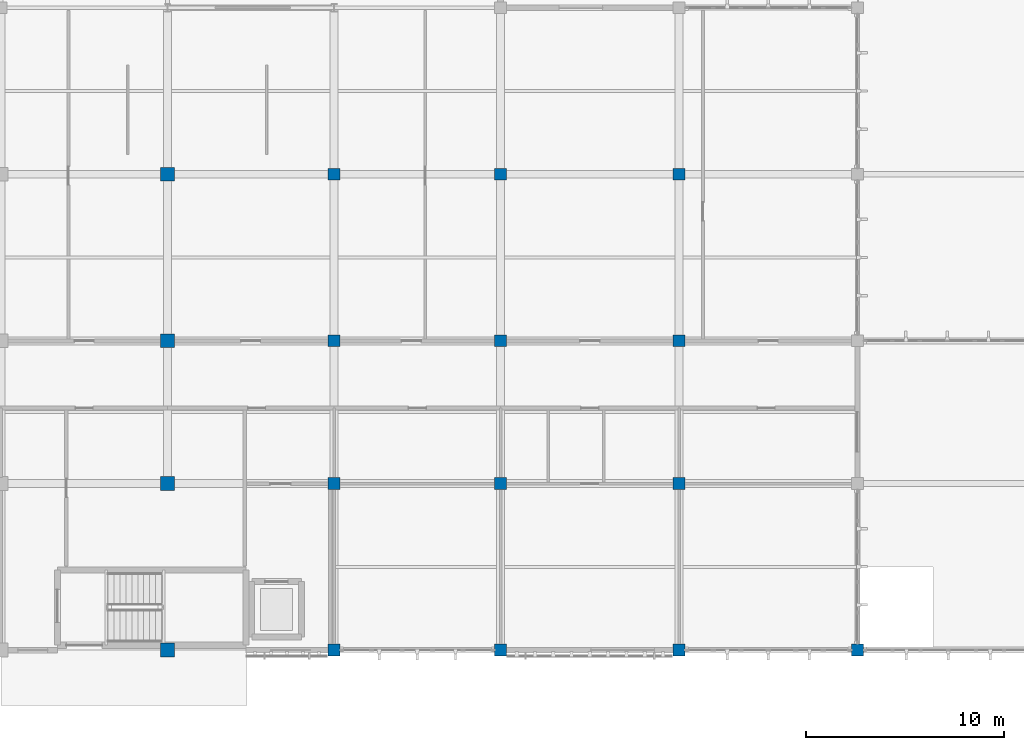
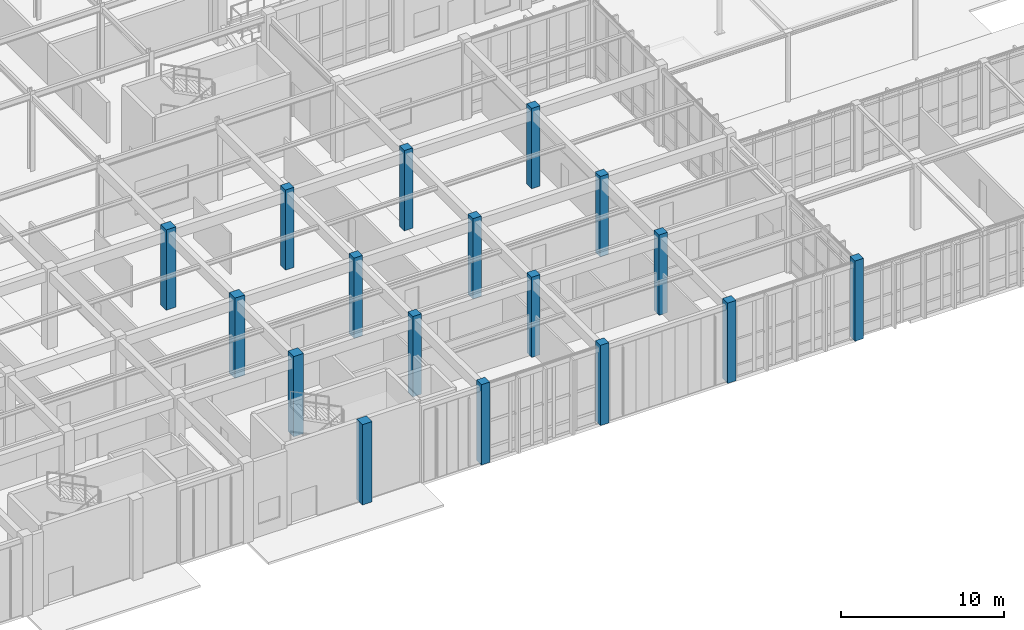
# One storey, part 4 of 110: 17 columns.
"""IFC4 building model written with IfcOpenShell, lengths in metres."""

from ifc_helpers import new_model, si_unit, direction, frame, origin, origin_2d, place, context, subcontext, project, spatial, rectangle, extrude, material, material_profile, profile_set, type_object, element, save


model = new_model("IFC4")

# Units and contexts
model_context = context("Model", 3, precision=1e-05, world=origin(), true_north=direction((0.0, 1.0)))
body_context = subcontext(model_context, "Body", "Model", "MODEL_VIEW")
ifc_project = project(units=[si_unit("LENGTHUNIT", "METRE"), si_unit("AREAUNIT", "SQUARE_METRE"), si_unit("VOLUMEUNIT", "CUBIC_METRE"), si_unit("PLANEANGLEUNIT", "RADIAN"), si_unit("MASSUNIT", "GRAM", prefix="KILO")], contexts=[model_context])

# Site, building, storey
site_placement = place(None, origin())
site = spatial("IfcSite", under=ifc_project, at=site_placement, CompositionType="ELEMENT")
building_placement = place(site_placement, origin())
building = spatial("IfcBuilding", under=site, at=building_placement, Name="Tizgana Railside Sports Hall", CompositionType="ELEMENT")
storey_placement = place(building_placement, origin())
storey = spatial("IfcBuildingStorey", under=building, at=storey_placement, Name="L00", CompositionType="ELEMENT", Elevation=0.0)

# Columns
ifc_material = material(Name="Concrete C40/50", Category="concrete")
ifc_material_profile_1 = material_profile(ifc_material, rectangle(XDim=0.60009765625, YDim=0.60009765625, at=origin_2d()), Name="RC 600x600")
ifc_profile_set_1 = profile_set([ifc_material_profile_1], Name="Concrete C40/50")
column_type_1 = type_object("IfcColumnType", Name="Concrete Column RC 600x600", PredefinedType="COLUMN", material=ifc_profile_set_1)
for number, where, z_axis, x_axis, name in (
    (1, (71.39990234375, 0.0, 0.0), (0.0, 0.0, 1.0), (1.0, 0.0, 0.0), "L00 COL-0777"),
    (2, (71.39990234375, 8.39990234375, 0.0), (0.0, 0.0, 1.0), (1.0, 0.0, 0.0), "L00 COL-0782"),
    (3, (71.39990234375, 15.60009765625, 0.0), (0.0, 0.0, 1.0), (1.0, 0.0, 0.0), "L00 COL-0787"),
    (4, (71.39990234375, 24.0, 0.0), (0.0, 0.0, 1.0), (1.0, 0.0, 0.0), "L00 COL-0792"),
    (5, (79.800048828125, 0.0, 0.0), (0.0, 0.0, 1.0), (1.0, 0.0, 0.0), "L00 COL-0799"),
    (6, (79.800048828125, 8.39990234375, 0.0), (0.0, 0.0, 1.0), (1.0, 0.0, 0.0), "L00 COL-0804"),
    (7, (79.800048828125, 15.60009765625, 0.0), (0.0, 0.0, 1.0), (1.0, 0.0, 0.0), "L00 COL-0809"),
    (8, (79.800048828125, 24.0, 0.0), (0.0, 0.0, 1.0), (1.0, 0.0, 0.0), "L00 COL-0814"),
    (9, (88.800048828125, 0.0, 0.0), (0.0, 0.0, 1.0), (1.0, 0.0, 0.0), "L00 COL-0821"),
    (10, (88.800048828125, 8.39990234375, 0.0), (0.0, 0.0, 1.0), (1.0, 0.0, 0.0), "L00 COL-0825"),
    (11, (88.800048828125, 15.60009765625, 0.0), (0.0, 0.0, 1.0), (1.0, 0.0, 0.0), "L00 COL-0829"),
    (12, (88.800048828125, 24.0, 0.0), (0.0, 0.0, 1.0), (1.0, 0.0, 0.0), "L00 COL-0833"),
    (13, (97.800048828125, 0.0, 0.0), (0.0, 0.0, 1.0), (1.0, 0.0, 0.0), "L00 COL-0841"),
):
    element("IfcColumn", number, at=place(storey_placement, frame(where, z_axis=z_axis, x_axis=x_axis)), inside=storey, type_object=column_type_1, Name=name, PredefinedType="COLUMN", context=body_context, shape_type="SweptSolid", body=[
        extrude(rectangle(XDim=0.60009765625, YDim=0.60009765625, at=origin_2d()), origin(), (0.0, 0.0, 1.0), 6.0),
    ])
ifc_material_profile_2 = material_profile(ifc_material, rectangle(XDim=0.699951171875, YDim=0.699951171875, at=origin_2d()), Name="RC 700x700")
ifc_profile_set_2 = profile_set([ifc_material_profile_2], Name="Concrete C40/50")
column_type_2 = type_object("IfcColumnType", Name="Concrete Column RC 700x700", PredefinedType="COLUMN", material=ifc_profile_set_2)
for number, where, z_axis, x_axis, name in (
    (14, (63.0, 0.0, 0.0), (0.0, 0.0, 1.0), (1.0, 0.0, 0.0), "L00 COL-0750"),
    (15, (63.0, 8.39990234375, 0.0), (0.0, 0.0, 1.0), (1.0, 0.0, 0.0), "L00 COL-0756"),
    (16, (63.0, 15.60009765625, 0.0), (0.0, 0.0, 1.0), (1.0, 0.0, 0.0), "L00 COL-0762"),
    (17, (63.0, 24.0, 0.0), (0.0, 0.0, 1.0), (1.0, 0.0, 0.0), "L00 COL-0768"),
):
    element("IfcColumn", number, at=place(storey_placement, frame(where, z_axis=z_axis, x_axis=x_axis)), inside=storey, type_object=column_type_2, Name=name, PredefinedType="COLUMN", context=body_context, shape_type="SweptSolid", body=[
        extrude(rectangle(XDim=0.699951171875, YDim=0.699951171875, at=origin_2d()), origin(), (0.0, 0.0, 1.0), 6.0),
    ])

save(model, "model.ifc")
